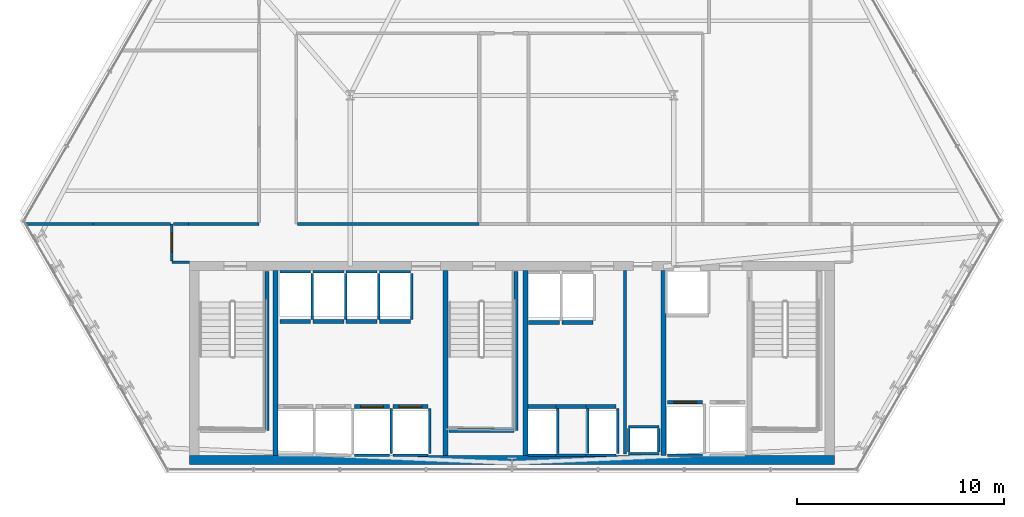
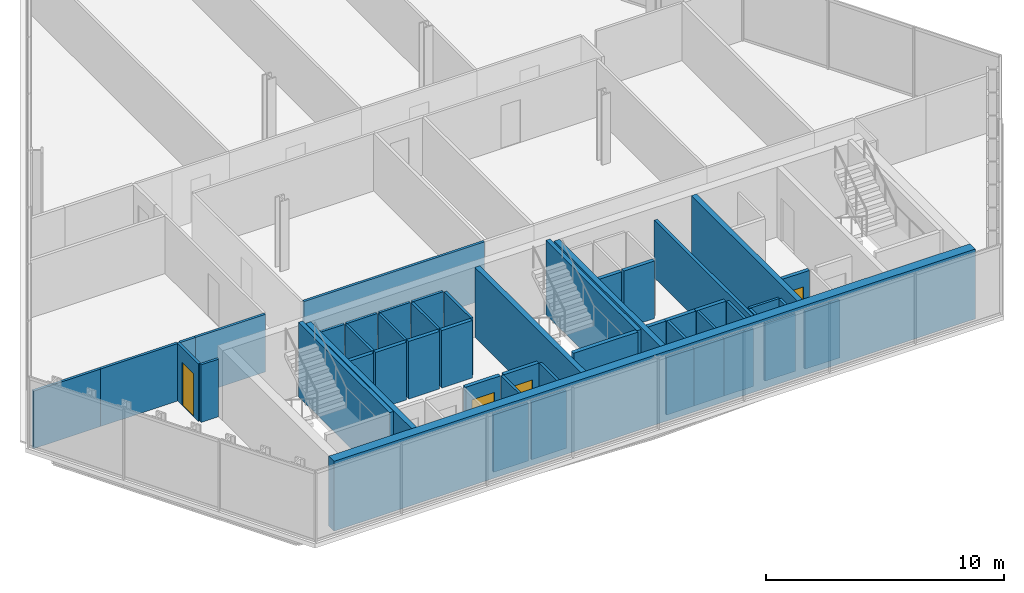
# One storey, part 27 of 32: 51 walls, 4 doors, 4 openings.
"""IFC4 building model written with IfcOpenShell, lengths in metres."""

from ifc_helpers import new_model, si_unit, direction, frame, frame_2d, origin, place, context, subcontext, project, spatial, rectangle, extrude, material, layer, layer_set, type_object, element, fill, save


model = new_model("IFC4")

# Units and contexts
model_context = context("Model", 3, precision=1e-05, world=origin(), true_north=direction((0.0, 1.0)))
body_context = subcontext(model_context, "Body", "Model", "MODEL_VIEW")
ifc_project = project(units=[si_unit("LENGTHUNIT", "METRE"), si_unit("AREAUNIT", "SQUARE_METRE"), si_unit("VOLUMEUNIT", "CUBIC_METRE"), si_unit("PLANEANGLEUNIT", "RADIAN"), si_unit("MASSUNIT", "GRAM", prefix="KILO")], contexts=[model_context])

# Site, building, storey
site_placement = place(None, origin())
site = spatial("IfcSite", under=ifc_project, at=site_placement, CompositionType="ELEMENT")
building_placement = place(site_placement, origin())
building = spatial("IfcBuilding", under=site, at=building_placement, Name="Ndaravel Arena Tower", CompositionType="ELEMENT")
storey_placement = place(building_placement, frame((0.0, 0.0, 93.0)))
storey = spatial("IfcBuildingStorey", under=building, at=storey_placement, Name="L21", CompositionType="ELEMENT", Elevation=93.0)

# Walls
ifc_material_1 = material(Name="Gypsum", Category="gypsum")
ifc_layer_1 = layer(ifc_material_1, 0.14990234375)
ifc_layer_set_1 = layer_set([ifc_layer_1], Name="Gypsum")
wall_type_1 = type_object("IfcWallType", Name="WALL-COMP-150", PredefinedType="PARTITIONING", material=ifc_layer_set_1)
wall_1_placement = place(storey_placement, frame((47.449951171875, 5.89990234375, 0.0), z_axis=(0.0, 0.0, 1.0), x_axis=(0.0, 1.0, 0.0)))
element("IfcWall", 1, at=wall_1_placement, inside=storey, type_object=wall_type_1, Name="L21 Core Riser Bay Partition", PredefinedType="PARTITIONING", context=body_context, shape_type="SweptSolid", body=[
    extrude(rectangle(XDim=8.85009765625, YDim=0.14990234375, at=frame_2d((4.425048828125, 0.0))), origin(), (0.0, 0.0, 1.0), 2.949951171875),
])
ifc_material_2 = material(Name="Concrete C60/75", Category="concrete")
ifc_layer_2 = layer(ifc_material_2, 0.25)
ifc_layer_set_2 = layer_set([ifc_layer_2], Name="Concrete C60/75")
wall_type_2 = type_object("IfcWallType", Name="WALL-CORE-250", PredefinedType="SOLIDWALL", material=ifc_layer_set_2)
for number, where, z_axis, x_axis, name in (
    (2, (30.60009765625, 5.85009765625, 0.0), (0.0, 0.0, 1.0), (0.0, 1.0, 0.0), "L21 Core Web Shear Wall 1"),
    (3, (38.800048828125, 5.85009765625, 0.0), (0.0, 0.0, 1.0), (0.0, 1.0, 0.0), "L21 Core Web Shear Wall 2"),
    (4, (42.64990234375, 5.85009765625, 0.0), (0.0, 0.0, 1.0), (0.0, 1.0, 0.0), "L21 Core Web Shear Wall 3"),
    (5, (49.300048828125, 5.85009765625, 0.0), (0.0, 0.0, 1.0), (0.0, 1.0, 0.0), "L21 Core Web Shear Wall 4"),
):
    element("IfcWall", number, at=place(storey_placement, frame(where, z_axis=z_axis, x_axis=x_axis)), inside=storey, type_object=wall_type_2, Name=name, PredefinedType="SOLIDWALL", context=body_context, shape_type="SweptSolid", body=[
        extrude(rectangle(XDim=8.89990234375, YDim=0.25, at=frame_2d((4.449951171875, 0.0))), origin(), (0.0, 0.0, 1.0), 3.580078125),
    ])
ifc_material_3 = material(Name="Concrete C60/75", Category="concrete")
ifc_layer_3 = layer(ifc_material_3, 0.449951171875)
ifc_layer_set_3 = layer_set([ifc_layer_3], Name="Concrete C60/75")
wall_type_3 = type_object("IfcWallType", Name="WALL-CORE-450", PredefinedType="SOLIDWALL", material=ifc_layer_set_3)
wall_2_placement = place(storey_placement, frame((26.449951171875, 5.625, 0.0), z_axis=(0.0, 0.0, 1.0), x_axis=(1.0, 0.0, 0.0)))
element("IfcWall", 6, at=wall_2_placement, inside=storey, type_object=wall_type_3, Name="L21 Core South Shear Wall", PredefinedType="SOLIDWALL", context=body_context, shape_type="SweptSolid", body=[
    extrude(rectangle(XDim=31.10009765625, YDim=0.449951171875, at=frame_2d((15.550048828125, 0.0))), origin(), (0.0, 0.0, 1.0), 3.580078125),
])
ifc_material_4 = material(Name="Gypsum", Category="gypsum")
ifc_layer_4 = layer(ifc_material_4, 0.125)
ifc_layer_set_4 = layer_set([ifc_layer_4], Name="Gypsum")
wall_type_4 = type_object("IfcWallType", Name="WALL-PART-125", PredefinedType="PARTITIONING", material=ifc_layer_set_4)
wall_3_placement = place(storey_placement, frame((26.449951171875, 15.14990234375, 0.0), z_axis=(0.0, 0.0, 1.0), x_axis=(-1.0, 0.0, 0.0)))
element("IfcWall", 7, at=wall_3_placement, inside=storey, type_object=wall_type_4, Name="L21 Interior Partition 003", PredefinedType="PARTITIONING", context=body_context, shape_type="SweptSolid", body=[
    extrude(rectangle(XDim=0.849853515625, YDim=0.125, at=frame_2d((0.4248046875, 0.0))), origin(), (0.0, 0.0, 1.0), 2.949951171875),
])

# Wall, opening, door
wall_4_placement = place(storey_placement, frame((25.60009765625, 15.215087890625, 0.0), z_axis=(0.0, 0.0, 1.0), x_axis=(0.0, 1.0, 0.0)))
wall_4 = element("IfcWall", 8, at=wall_4_placement, inside=storey, type_object=wall_type_4, Name="L21 Interior Partition 004", PredefinedType="PARTITIONING", context=body_context, shape_type="SweptSolid", body=[
    extrude(rectangle(XDim=1.784912109375, YDim=0.125, at=frame_2d((0.892578125, 0.0))), origin(), (0.0, 0.0, 1.0), 2.949951171875),
])
opening_1_placement = place(wall_4_placement, frame((0.41748046875, 0.0, 0.0)))
opening_1 = element("IfcOpeningElement", 9, at=opening_1_placement, cuts=wall_4, Name="Opening ID-01", PredefinedType="OPENING", context=body_context, shape_type="SweptSolid", body=[
    extrude(rectangle(XDim=0.949951171875, YDim=2.199951171875, at=frame_2d((0.47509765625, 1.10009765625))), frame((0.0, 0.0625, 0.0), z_axis=(0.0, -1.0, 0.0), x_axis=(1.0, 0.0, 0.0)), (0.0, 0.0, 1.0), 0.125),
])
ifc_material_5 = material(Name="Timber", Category="wood")
door_type_1 = type_object("IfcDoorType", Name="DT-03-OFFICE-950", OperationType="SINGLE_SWING_LEFT", PredefinedType="DOOR", material=ifc_material_5)
door_1_placement = place(opening_1_placement, origin())
door_1 = element("IfcDoor", 10, at=door_1_placement, inside=storey, type_object=door_type_1, Name="L21 Open Plan Workplace Door", OperationType="SINGLE_SWING_RIGHT", OverallHeight=2.199951171875, OverallWidth=0.949951171875, PredefinedType="DOOR", context=body_context, shape_type="SweptSolid", body=[
    extrude(rectangle(XDim=0.949951171875, YDim=2.199951171875, at=frame_2d((0.47509765625, 1.10009765625))), frame((0.0, 0.02490234375, 0.0), z_axis=(0.0, -1.0, 0.0), x_axis=(1.0, 0.0, 0.0)), (0.0, 0.0, 1.0), 0.050048828125),
])
fill(opening_1, door_1)

# Walls
wall_5_placement = place(storey_placement, frame((25.6650390625, 17.0, 0.0), z_axis=(0.0, 0.0, 1.0), x_axis=(1.0, 0.0, 0.0)))
element("IfcWall", 11, at=wall_5_placement, inside=storey, type_object=wall_type_4, Name="L21 Interior Partition 005", PredefinedType="PARTITIONING", context=body_context, shape_type="SweptSolid", body=[
    extrude(rectangle(XDim=0.73486328125, YDim=0.125, at=frame_2d((0.367431640625, 0.0))), origin(), (0.0, 0.0, 1.0), 2.949951171875),
])
wall_6_placement = place(storey_placement, frame((26.39990234375, 17.0, 0.0), z_axis=(0.0, 0.0, 1.0), x_axis=(1.0, 0.0, 0.0)))
element("IfcWall", 12, at=wall_6_placement, inside=storey, type_object=wall_type_4, Name="L21 Interior Partition 006", PredefinedType="PARTITIONING", context=body_context, shape_type="SweptSolid", body=[
    extrude(rectangle(XDim=3.400146484375, YDim=0.125, at=frame_2d((1.7001953125, 0.0))), origin(), (0.0, 0.0, 1.0), 2.949951171875),
])
wall_7_placement = place(storey_placement, frame((31.6650390625, 17.0, 0.0), z_axis=(0.0, 0.0, 1.0), x_axis=(1.0, 0.0, 0.0)))
element("IfcWall", 13, at=wall_7_placement, inside=storey, type_object=wall_type_4, Name="L21 Interior Partition 020", PredefinedType="PARTITIONING", context=body_context, shape_type="SweptSolid", body=[
    extrude(rectangle(XDim=8.7548828125, YDim=0.125, at=frame_2d((4.37744140625, 0.0))), origin(), (0.0, 0.0, 1.0), 2.949951171875),
])
wall_8_placement = place(storey_placement, frame((18.5517578125, 17.0, 0.0), z_axis=(0.0, 0.0, 1.0), x_axis=(1.0, 0.0, 0.0)))
element("IfcWall", 14, at=wall_8_placement, inside=storey, type_object=wall_type_4, Name="L21 Interior Partition 025", PredefinedType="PARTITIONING", context=body_context, shape_type="SweptSolid", body=[
    extrude(rectangle(XDim=3.248291015625, YDim=0.125, at=frame_2d((1.6240234375, 0.0))), origin(), (0.0, 0.0, 1.0), 2.949951171875),
])
wall_9_placement = place(storey_placement, frame((21.800048828125, 17.0, 0.0), z_axis=(0.0, 0.0, 1.0), x_axis=(1.0, 0.0, 0.0)))
element("IfcWall", 15, at=wall_9_placement, inside=storey, type_object=wall_type_4, Name="L21 Interior Partition 026", PredefinedType="PARTITIONING", context=body_context, shape_type="SweptSolid", body=[
    extrude(rectangle(XDim=3.73486328125, YDim=0.125, at=frame_2d((1.867431640625, 0.0))), origin(), (0.0, 0.0, 1.0), 2.949951171875),
])
ifc_material_6 = material(Name="Concrete C40/50", Category="concrete")
ifc_layer_5 = layer(ifc_material_6, 0.1201171875)
ifc_layer_set_5 = layer_set([ifc_layer_5], Name="Concrete C40/50")
wall_type_5 = type_object("IfcWallType", Name="WALL-SHAFT-120", PredefinedType="SOLIDWALL", material=ifc_layer_set_5)
for number, where, z_axis, x_axis, name in (
    (16, (47.6201171875, 5.919921875, 0.0), (0.0, 0.0, 1.0), (1.0, 0.0, 0.0), "L21 MEP Riser Shaft S Wall"),
    (17, (47.6201171875, 7.219970703125, 0.0), (0.0, 0.0, 1.0), (1.0, 0.0, 0.0), "L21 MEP Riser Shaft N Wall"),
):
    element("IfcWall", number, at=place(storey_placement, frame(where, z_axis=z_axis, x_axis=x_axis)), inside=storey, type_object=wall_type_5, Name=name, PredefinedType="SOLIDWALL", context=body_context, shape_type="SweptSolid", body=[
        extrude(rectangle(XDim=1.4599609375, YDim=0.1201171875, at=frame_2d((0.72998046875, 0.0))), origin(), (0.0, 0.0, 1.0), 2.949951171875),
    ])
for number, where, z_axis, x_axis, name in (
    (18, (47.6201171875, 6.0, 0.0), (0.0, 0.0, 1.0), (0.0, 1.0, 0.0), "L21 MEP Riser Shaft W Wall"),
    (19, (49.080078125, 6.0, 0.0), (0.0, 0.0, 1.0), (0.0, 1.0, 0.0), "L21 MEP Riser Shaft E Wall"),
):
    element("IfcWall", number, at=place(storey_placement, frame(where, z_axis=z_axis, x_axis=x_axis)), inside=storey, type_object=wall_type_5, Name=name, PredefinedType="SOLIDWALL", context=body_context, shape_type="SweptSolid", body=[
        extrude(rectangle(XDim=1.139892578125, YDim=0.1201171875, at=frame_2d((0.56982421875, 0.0))), origin(), (0.0, 0.0, 1.0), 2.949951171875),
    ])
wall_10_placement = place(storey_placement, frame((34.405029296875, 5.840087890625, 0.0), z_axis=(0.0, 0.0, 1.0), x_axis=(1.0, 0.0, 0.0)))
element("IfcWall", 20, at=wall_10_placement, inside=storey, type_object=wall_type_5, Name="L21 PL-L3 Shaft Rear Wall", PredefinedType="SOLIDWALL", context=body_context, shape_type="SweptSolid", body=[
    extrude(rectangle(XDim=1.68994140625, YDim=0.1201171875, at=frame_2d((0.844970703125, 0.0))), origin(), (0.0, 0.0, 1.0), 2.949951171875),
])
wall_11_placement = place(storey_placement, frame((36.175048828125, 5.929931640625, 0.0), z_axis=(0.0, 0.0, 1.0), x_axis=(0.0, 1.0, 0.0)))
element("IfcWall", 21, at=wall_11_placement, inside=storey, type_object=wall_type_5, Name="L21 PL-L3 Shaft Side R Wall", PredefinedType="SOLIDWALL", context=body_context, shape_type="SweptSolid", body=[
    extrude(rectangle(XDim=2.18017578125, YDim=0.1201171875, at=frame_2d((1.090087890625, 0.0))), origin(), (0.0, 0.0, 1.0), 2.949951171875),
])
wall_12_placement = place(storey_placement, frame((36.2548828125, 5.840087890625, 0.0), z_axis=(0.0, 0.0, 1.0), x_axis=(1.0, 0.0, 0.0)))
element("IfcWall", 22, at=wall_12_placement, inside=storey, type_object=wall_type_5, Name="L21 PL-L4 Shaft Rear Wall", PredefinedType="SOLIDWALL", context=body_context, shape_type="SweptSolid", body=[
    extrude(rectangle(XDim=1.690185546875, YDim=0.1201171875, at=frame_2d((0.84521484375, 0.0))), origin(), (0.0, 0.0, 1.0), 2.949951171875),
])
wall_13_placement = place(storey_placement, frame((38.02490234375, 5.929931640625, 0.0), z_axis=(0.0, 0.0, 1.0), x_axis=(0.0, 1.0, 0.0)))
element("IfcWall", 23, at=wall_13_placement, inside=storey, type_object=wall_type_5, Name="L21 PL-L4 Shaft Side R Wall", PredefinedType="SOLIDWALL", context=body_context, shape_type="SweptSolid", body=[
    extrude(rectangle(XDim=2.18017578125, YDim=0.1201171875, at=frame_2d((1.090087890625, 0.0))), origin(), (0.0, 0.0, 1.0), 2.949951171875),
])
wall_14_placement = place(storey_placement, frame((30.804931640625, 14.7099609375, 0.0), z_axis=(0.0, 0.0, 1.0), x_axis=(1.0, 0.0, 0.0)))
element("IfcWall", 24, at=wall_14_placement, inside=storey, type_object=wall_type_5, Name="L21 PL-M1 Shaft Rear Wall", PredefinedType="SOLIDWALL", context=body_context, shape_type="SweptSolid", body=[
    extrude(rectangle(XDim=1.489990234375, YDim=0.1201171875, at=frame_2d((0.7451171875, 0.0))), origin(), (0.0, 0.0, 1.0), 2.949951171875),
])
wall_15_placement = place(storey_placement, frame((32.375, 12.389892578125, 0.0), z_axis=(0.0, 0.0, 1.0), x_axis=(0.0, 1.0, 0.0)))
element("IfcWall", 25, at=wall_15_placement, inside=storey, type_object=wall_type_5, Name="L21 PL-M1 Shaft Side R Wall", PredefinedType="SOLIDWALL", context=body_context, shape_type="SweptSolid", body=[
    extrude(rectangle(XDim=2.230224609375, YDim=0.1201171875, at=frame_2d((1.115234375, 0.0))), origin(), (0.0, 0.0, 1.0), 2.949951171875),
])
wall_16_placement = place(storey_placement, frame((32.405029296875, 14.7099609375, 0.0), z_axis=(0.0, 0.0, 1.0), x_axis=(1.0, 0.0, 0.0)))
element("IfcWall", 26, at=wall_16_placement, inside=storey, type_object=wall_type_5, Name="L21 PL-M2 Shaft Rear Wall", PredefinedType="SOLIDWALL", context=body_context, shape_type="SweptSolid", body=[
    extrude(rectangle(XDim=1.489990234375, YDim=0.1201171875, at=frame_2d((0.7451171875, 0.0))), origin(), (0.0, 0.0, 1.0), 2.949951171875),
])
wall_17_placement = place(storey_placement, frame((33.97509765625, 12.389892578125, 0.0), z_axis=(0.0, 0.0, 1.0), x_axis=(0.0, 1.0, 0.0)))
element("IfcWall", 27, at=wall_17_placement, inside=storey, type_object=wall_type_5, Name="L21 PL-M2 Shaft Side R Wall", PredefinedType="SOLIDWALL", context=body_context, shape_type="SweptSolid", body=[
    extrude(rectangle(XDim=2.230224609375, YDim=0.1201171875, at=frame_2d((1.115234375, 0.0))), origin(), (0.0, 0.0, 1.0), 2.949951171875),
])
wall_18_placement = place(storey_placement, frame((34.0048828125, 14.7099609375, 0.0), z_axis=(0.0, 0.0, 1.0), x_axis=(1.0, 0.0, 0.0)))
element("IfcWall", 28, at=wall_18_placement, inside=storey, type_object=wall_type_5, Name="L21 PL-M3 Shaft Rear Wall", PredefinedType="SOLIDWALL", context=body_context, shape_type="SweptSolid", body=[
    extrude(rectangle(XDim=1.490234375, YDim=0.1201171875, at=frame_2d((0.7451171875, 0.0))), origin(), (0.0, 0.0, 1.0), 2.949951171875),
])
wall_19_placement = place(storey_placement, frame((35.574951171875, 12.389892578125, 0.0), z_axis=(0.0, 0.0, 1.0), x_axis=(0.0, 1.0, 0.0)))
element("IfcWall", 29, at=wall_19_placement, inside=storey, type_object=wall_type_5, Name="L21 PL-M3 Shaft Side R Wall", PredefinedType="SOLIDWALL", context=body_context, shape_type="SweptSolid", body=[
    extrude(rectangle(XDim=2.230224609375, YDim=0.1201171875, at=frame_2d((1.115234375, 0.0))), origin(), (0.0, 0.0, 1.0), 2.949951171875),
])
wall_20_placement = place(storey_placement, frame((35.60498046875, 14.7099609375, 0.0), z_axis=(0.0, 0.0, 1.0), x_axis=(1.0, 0.0, 0.0)))
element("IfcWall", 30, at=wall_20_placement, inside=storey, type_object=wall_type_5, Name="L21 PL-M4 Shaft Rear Wall", PredefinedType="SOLIDWALL", context=body_context, shape_type="SweptSolid", body=[
    extrude(rectangle(XDim=1.489990234375, YDim=0.1201171875, at=frame_2d((0.7451171875, 0.0))), origin(), (0.0, 0.0, 1.0), 2.949951171875),
])
wall_21_placement = place(storey_placement, frame((37.175048828125, 12.389892578125, 0.0), z_axis=(0.0, 0.0, 1.0), x_axis=(0.0, 1.0, 0.0)))
element("IfcWall", 31, at=wall_21_placement, inside=storey, type_object=wall_type_5, Name="L21 PL-M4 Shaft Side R Wall", PredefinedType="SOLIDWALL", context=body_context, shape_type="SweptSolid", body=[
    extrude(rectangle(XDim=2.230224609375, YDim=0.1201171875, at=frame_2d((1.115234375, 0.0))), origin(), (0.0, 0.0, 1.0), 2.949951171875),
])
wall_22_placement = place(storey_placement, frame((42.780029296875, 5.840087890625, 0.0), z_axis=(0.0, 0.0, 1.0), x_axis=(1.0, 0.0, 0.0)))
element("IfcWall", 32, at=wall_22_placement, inside=storey, type_object=wall_type_5, Name="L21 PL-H1 Shaft Rear Wall", PredefinedType="SOLIDWALL", context=body_context, shape_type="SweptSolid", body=[
    extrude(rectangle(XDim=1.340087890625, YDim=0.1201171875, at=frame_2d((0.669921875, 0.0))), origin(), (0.0, 0.0, 1.0), 2.949951171875),
])
wall_23_placement = place(storey_placement, frame((44.199951171875, 5.929931640625, 0.0), z_axis=(0.0, 0.0, 1.0), x_axis=(0.0, 1.0, 0.0)))
element("IfcWall", 33, at=wall_23_placement, inside=storey, type_object=wall_type_5, Name="L21 PL-H1 Shaft Side R Wall", PredefinedType="SOLIDWALL", context=body_context, shape_type="SweptSolid", body=[
    extrude(rectangle(XDim=2.18017578125, YDim=0.1201171875, at=frame_2d((1.090087890625, 0.0))), origin(), (0.0, 0.0, 1.0), 2.949951171875),
])
wall_24_placement = place(storey_placement, frame((44.1298828125, 5.840087890625, 0.0), z_axis=(0.0, 0.0, 1.0), x_axis=(1.0, 0.0, 0.0)))
element("IfcWall", 34, at=wall_24_placement, inside=storey, type_object=wall_type_5, Name="L21 PL-H2 Shaft Rear Wall", PredefinedType="SOLIDWALL", context=body_context, shape_type="SweptSolid", body=[
    extrude(rectangle(XDim=1.440185546875, YDim=0.1201171875, at=frame_2d((0.72021484375, 0.0))), origin(), (0.0, 0.0, 1.0), 2.949951171875),
])
wall_25_placement = place(storey_placement, frame((45.64990234375, 5.929931640625, 0.0), z_axis=(0.0, 0.0, 1.0), x_axis=(0.0, 1.0, 0.0)))
element("IfcWall", 35, at=wall_25_placement, inside=storey, type_object=wall_type_5, Name="L21 PL-H2 Shaft Side R Wall", PredefinedType="SOLIDWALL", context=body_context, shape_type="SweptSolid", body=[
    extrude(rectangle(XDim=2.18017578125, YDim=0.1201171875, at=frame_2d((1.090087890625, 0.0))), origin(), (0.0, 0.0, 1.0), 2.949951171875),
])
wall_26_placement = place(storey_placement, frame((45.580078125, 5.840087890625, 0.0), z_axis=(0.0, 0.0, 1.0), x_axis=(1.0, 0.0, 0.0)))
element("IfcWall", 36, at=wall_26_placement, inside=storey, type_object=wall_type_5, Name="L21 PL-H3 Shaft Rear Wall", PredefinedType="SOLIDWALL", context=body_context, shape_type="SweptSolid", body=[
    extrude(rectangle(XDim=1.43994140625, YDim=0.1201171875, at=frame_2d((0.719970703125, 0.0))), origin(), (0.0, 0.0, 1.0), 2.949951171875),
])
wall_27_placement = place(storey_placement, frame((47.10009765625, 5.929931640625, 0.0), z_axis=(0.0, 0.0, 1.0), x_axis=(0.0, 1.0, 0.0)))
element("IfcWall", 37, at=wall_27_placement, inside=storey, type_object=wall_type_5, Name="L21 PL-H3 Shaft Side R Wall", PredefinedType="SOLIDWALL", context=body_context, shape_type="SweptSolid", body=[
    extrude(rectangle(XDim=2.18017578125, YDim=0.1201171875, at=frame_2d((1.090087890625, 0.0))), origin(), (0.0, 0.0, 1.0), 2.949951171875),
])
wall_28_placement = place(storey_placement, frame((49.5048828125, 5.840087890625, 0.0), z_axis=(0.0, 0.0, 1.0), x_axis=(1.0, 0.0, 0.0)))
element("IfcWall", 38, at=wall_28_placement, inside=storey, type_object=wall_type_5, Name="L21 FFL-1 Shaft Rear Wall", PredefinedType="SOLIDWALL", context=body_context, shape_type="SweptSolid", body=[
    extrude(rectangle(XDim=1.690185546875, YDim=0.1201171875, at=frame_2d((0.84521484375, 0.0))), origin(), (0.0, 0.0, 1.0), 2.949951171875),
])
ifc_material_7 = material(Name="Concrete C40/50", Category="concrete")
ifc_layer_6 = layer(ifc_material_7, 0.199951171875)
ifc_layer_set_6 = layer_set([ifc_layer_6], Name="Concrete C40/50")
wall_type_6 = type_object("IfcWallType", Name="WALL-SHAFT-200", PredefinedType="SOLIDWALL", material=ifc_layer_set_6)
for number, where, z_axis, x_axis, name in (
    (39, (30.18994140625, 14.699951171875, 0.0), (0.0, 0.0, 1.0), (0.0, -1.0, 0.0), "L21 ST-1 Structural Shaft Wall Right"),
    (40, (42.18994140625, 14.699951171875, 0.0), (0.0, 0.0, 1.0), (0.0, -1.0, 0.0), "L21 ST-2 Structural Shaft Wall Right"),
):
    element("IfcWall", number, at=place(storey_placement, frame(where, z_axis=z_axis, x_axis=x_axis)), inside=storey, type_object=wall_type_6, Name=name, PredefinedType="SOLIDWALL", context=body_context, shape_type="SweptSolid", body=[
        extrude(rectangle(XDim=7.64990234375, YDim=0.199951171875, at=frame_2d((3.824951171875, 0.0))), origin(), (0.0, 0.0, 1.0), 3.800048828125),
    ])
wall_29_placement = place(storey_placement, frame((38.969970703125, 7.050048828125, 0.0), z_axis=(0.0, 0.0, 1.0), x_axis=(1.0, 0.0, 0.0)))
element("IfcWall", 41, at=wall_29_placement, inside=storey, type_object=wall_type_6, Name="L21 ST-2 Structural Shaft Wall Far", PredefinedType="SOLIDWALL", context=body_context, shape_type="SweptSolid", body=[
    extrude(rectangle(XDim=3.114990234375, YDim=0.199951171875, at=frame_2d((1.5576171875, 0.0))), origin(), (0.0, 0.0, 1.0), 3.800048828125),
])

# Wall, opening, door
wall_30_placement = place(storey_placement, frame((34.405029296875, 8.199951171875, 0.0), z_axis=(0.0, 0.0, 1.0), x_axis=(1.0, 0.0, 0.0)))
wall_30 = element("IfcWall", 42, at=wall_30_placement, inside=storey, type_object=wall_type_6, Name="L21 PL-L3 Shaft Landing Wall", PredefinedType="SOLIDWALL", context=body_context, shape_type="SweptSolid", body=[
    extrude(rectangle(XDim=1.68994140625, YDim=0.179931640625, at=frame_2d((0.844970703125, 0.0))), origin(), (0.0, 0.0, 1.0), 2.949951171875),
])
opening_2_placement = place(wall_30_placement, frame((0.294921875, 0.0, 0.0)))
opening_2 = element("IfcOpeningElement", 43, at=opening_2_placement, cuts=wall_30, Name="Opening LD-01", PredefinedType="OPENING", context=body_context, shape_type="SweptSolid", body=[
    extrude(rectangle(XDim=1.10009765625, YDim=2.199951171875, at=frame_2d((0.550048828125, 1.10009765625))), frame((0.0, 0.08984375, 0.0), z_axis=(0.0, -1.0, 0.0), x_axis=(1.0, 0.0, 0.0)), (0.0, 0.0, 1.0), 0.179931640625),
])
ifc_material_8 = material(Name="Steel S355", Category="steel")
door_type_2 = type_object("IfcDoorType", Name="DT-06-LIFT-1100", OperationType="SLIDING_TO_LEFT", PredefinedType="DOOR", material=ifc_material_8)
door_2_placement = place(opening_2_placement, origin())
door_2 = element("IfcDoor", 44, at=door_2_placement, inside=storey, type_object=door_type_2, Name="L21 Lift PL-L3 Sliding Landing Door", OperationType="SLIDING_TO_LEFT", OverallHeight=2.199951171875, OverallWidth=1.10009765625, PredefinedType="DOOR", context=body_context, shape_type="SweptSolid", body=[
    extrude(rectangle(XDim=1.10009765625, YDim=2.199951171875, at=frame_2d((0.550048828125, 1.10009765625))), frame((0.0, 0.02490234375, 0.0), z_axis=(0.0, -1.0, 0.0), x_axis=(1.0, 0.0, 0.0)), (0.0, 0.0, 1.0), 0.050048828125),
])
fill(opening_2, door_2)

wall_31_placement = place(storey_placement, frame((36.2548828125, 8.199951171875, 0.0), z_axis=(0.0, 0.0, 1.0), x_axis=(1.0, 0.0, 0.0)))
wall_31 = element("IfcWall", 45, at=wall_31_placement, inside=storey, type_object=wall_type_6, Name="L21 PL-L4 Shaft Landing Wall", PredefinedType="SOLIDWALL", context=body_context, shape_type="SweptSolid", body=[
    extrude(rectangle(XDim=1.690185546875, YDim=0.179931640625, at=frame_2d((0.84521484375, 0.0))), origin(), (0.0, 0.0, 1.0), 2.949951171875),
])
opening_3_placement = place(wall_31_placement, frame((0.294921875, 0.0, 0.0)))
opening_3 = element("IfcOpeningElement", 46, at=opening_3_placement, cuts=wall_31, Name="Opening LD-01", PredefinedType="OPENING", context=body_context, shape_type="SweptSolid", body=[
    extrude(rectangle(XDim=1.10009765625, YDim=2.199951171875, at=frame_2d((0.550048828125, 1.10009765625))), frame((0.0, 0.08984375, 0.0), z_axis=(0.0, -1.0, 0.0), x_axis=(1.0, 0.0, 0.0)), (0.0, 0.0, 1.0), 0.179931640625),
])
door_3_placement = place(opening_3_placement, origin())
door_3 = element("IfcDoor", 47, at=door_3_placement, inside=storey, type_object=door_type_2, Name="L21 Lift PL-L4 Sliding Landing Door", OperationType="SLIDING_TO_LEFT", OverallHeight=2.199951171875, OverallWidth=1.10009765625, PredefinedType="DOOR", context=body_context, shape_type="SweptSolid", body=[
    extrude(rectangle(XDim=1.10009765625, YDim=2.199951171875, at=frame_2d((0.550048828125, 1.10009765625))), frame((0.0, 0.02490234375, 0.0), z_axis=(0.0, -1.0, 0.0), x_axis=(1.0, 0.0, 0.0)), (0.0, 0.0, 1.0), 0.050048828125),
])
fill(opening_3, door_3)

# Walls
for number, where, z_axis, x_axis, name in (
    (48, (30.804931640625, 12.300048828125, 0.0), (0.0, 0.0, 1.0), (1.0, 0.0, 0.0), "L21 PL-M1 Shaft Landing Wall"),
    (49, (32.405029296875, 12.300048828125, 0.0), (0.0, 0.0, 1.0), (1.0, 0.0, 0.0), "L21 PL-M2 Shaft Landing Wall"),
):
    element("IfcWall", number, at=place(storey_placement, frame(where, z_axis=z_axis, x_axis=x_axis)), inside=storey, type_object=wall_type_6, Name=name, PredefinedType="SOLIDWALL", context=body_context, shape_type="SweptSolid", body=[
        extrude(rectangle(XDim=1.489990234375, YDim=0.179931640625, at=frame_2d((0.7451171875, 0.0))), origin(), (0.0, 0.0, 1.0), 2.949951171875),
    ])
wall_32_placement = place(storey_placement, frame((34.0048828125, 12.300048828125, 0.0), z_axis=(0.0, 0.0, 1.0), x_axis=(1.0, 0.0, 0.0)))
element("IfcWall", 50, at=wall_32_placement, inside=storey, type_object=wall_type_6, Name="L21 PL-M3 Shaft Landing Wall", PredefinedType="SOLIDWALL", context=body_context, shape_type="SweptSolid", body=[
    extrude(rectangle(XDim=1.490234375, YDim=0.179931640625, at=frame_2d((0.7451171875, 0.0))), origin(), (0.0, 0.0, 1.0), 2.949951171875),
])
wall_33_placement = place(storey_placement, frame((35.60498046875, 12.300048828125, 0.0), z_axis=(0.0, 0.0, 1.0), x_axis=(1.0, 0.0, 0.0)))
element("IfcWall", 51, at=wall_33_placement, inside=storey, type_object=wall_type_6, Name="L21 PL-M4 Shaft Landing Wall", PredefinedType="SOLIDWALL", context=body_context, shape_type="SweptSolid", body=[
    extrude(rectangle(XDim=1.489990234375, YDim=0.179931640625, at=frame_2d((0.7451171875, 0.0))), origin(), (0.0, 0.0, 1.0), 2.949951171875),
])
wall_34_placement = place(storey_placement, frame((42.780029296875, 8.199951171875, 0.0), z_axis=(0.0, 0.0, 1.0), x_axis=(1.0, 0.0, 0.0)))
element("IfcWall", 52, at=wall_34_placement, inside=storey, type_object=wall_type_6, Name="L21 PL-H1 Shaft Landing Wall", PredefinedType="SOLIDWALL", context=body_context, shape_type="SweptSolid", body=[
    extrude(rectangle(XDim=1.340087890625, YDim=0.179931640625, at=frame_2d((0.669921875, 0.0))), origin(), (0.0, 0.0, 1.0), 2.949951171875),
])
wall_35_placement = place(storey_placement, frame((44.1298828125, 8.199951171875, 0.0), z_axis=(0.0, 0.0, 1.0), x_axis=(1.0, 0.0, 0.0)))
element("IfcWall", 53, at=wall_35_placement, inside=storey, type_object=wall_type_6, Name="L21 PL-H2 Shaft Landing Wall", PredefinedType="SOLIDWALL", context=body_context, shape_type="SweptSolid", body=[
    extrude(rectangle(XDim=1.440185546875, YDim=0.179931640625, at=frame_2d((0.72021484375, 0.0))), origin(), (0.0, 0.0, 1.0), 2.949951171875),
])
wall_36_placement = place(storey_placement, frame((45.580078125, 8.199951171875, 0.0), z_axis=(0.0, 0.0, 1.0), x_axis=(1.0, 0.0, 0.0)))
element("IfcWall", 54, at=wall_36_placement, inside=storey, type_object=wall_type_6, Name="L21 PL-H3 Shaft Landing Wall", PredefinedType="SOLIDWALL", context=body_context, shape_type="SweptSolid", body=[
    extrude(rectangle(XDim=1.43994140625, YDim=0.179931640625, at=frame_2d((0.719970703125, 0.0))), origin(), (0.0, 0.0, 1.0), 2.949951171875),
])
for number, where, z_axis, x_axis, name in (
    (55, (42.804931640625, 12.25, 0.0), (0.0, 0.0, 1.0), (1.0, 0.0, 0.0), "L21 PL-OBS1 Shaft Landing Wall"),
    (56, (44.405029296875, 12.25, 0.0), (0.0, 0.0, 1.0), (1.0, 0.0, 0.0), "L21 PL-OBS2 Shaft Landing Wall"),
):
    element("IfcWall", number, at=place(storey_placement, frame(where, z_axis=z_axis, x_axis=x_axis)), inside=storey, type_object=wall_type_6, Name=name, PredefinedType="SOLIDWALL", context=body_context, shape_type="SweptSolid", body=[
        extrude(rectangle(XDim=1.489990234375, YDim=0.179931640625, at=frame_2d((0.7451171875, 0.0))), origin(), (0.0, 0.0, 1.0), 2.949951171875),
    ])

# Wall, opening, door
wall_37_placement = place(storey_placement, frame((49.5048828125, 8.39990234375, 0.0), z_axis=(0.0, 0.0, 1.0), x_axis=(1.0, 0.0, 0.0)))
wall_37 = element("IfcWall", 57, at=wall_37_placement, inside=storey, type_object=wall_type_6, Name="L21 FFL-1 Shaft Landing Wall", PredefinedType="SOLIDWALL", context=body_context, shape_type="SweptSolid", body=[
    extrude(rectangle(XDim=1.690185546875, YDim=0.179931640625, at=frame_2d((0.84521484375, 0.0))), origin(), (0.0, 0.0, 1.0), 2.949951171875),
])
opening_4_placement = place(wall_37_placement, frame((0.294921875, 0.0, 0.0)))
opening_4 = element("IfcOpeningElement", 58, at=opening_4_placement, cuts=wall_37, Name="Opening LD-01", PredefinedType="OPENING", context=body_context, shape_type="SweptSolid", body=[
    extrude(rectangle(XDim=1.10009765625, YDim=2.199951171875, at=frame_2d((0.550048828125, 1.10009765625))), frame((0.0, 0.08984375, 0.0), z_axis=(0.0, -1.0, 0.0), x_axis=(1.0, 0.0, 0.0)), (0.0, 0.0, 1.0), 0.179931640625),
])
door_4_placement = place(opening_4_placement, origin())
door_4 = element("IfcDoor", 59, at=door_4_placement, inside=storey, type_object=door_type_2, Name="L21 Lift FFL-1 Sliding Landing Door", OperationType="SLIDING_TO_LEFT", OverallHeight=2.199951171875, OverallWidth=1.10009765625, PredefinedType="DOOR", context=body_context, shape_type="SweptSolid", body=[
    extrude(rectangle(XDim=1.10009765625, YDim=2.199951171875, at=frame_2d((0.550048828125, 1.10009765625))), frame((0.0, 0.02490234375, 0.0), z_axis=(0.0, -1.0, 0.0), x_axis=(1.0, 0.0, 0.0)), (0.0, 0.0, 1.0), 0.050048828125),
])
fill(opening_4, door_4)

save(model, "model.ifc")
